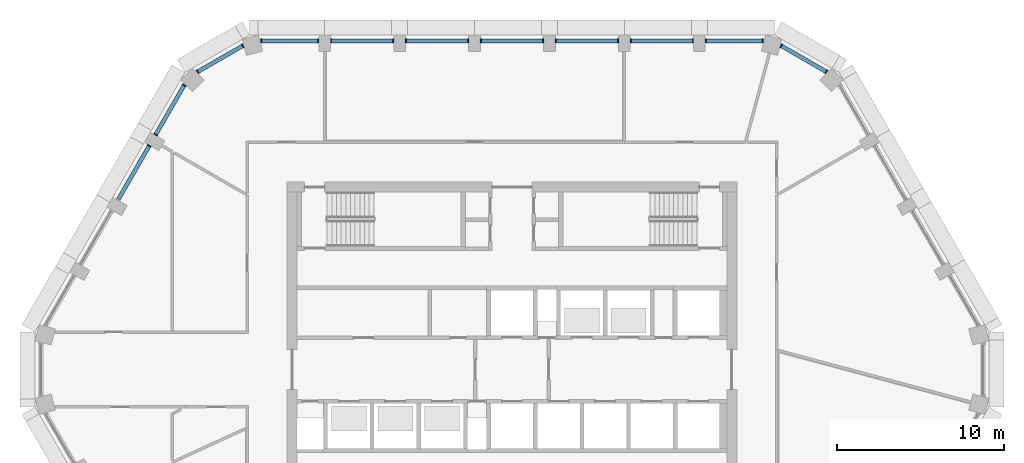
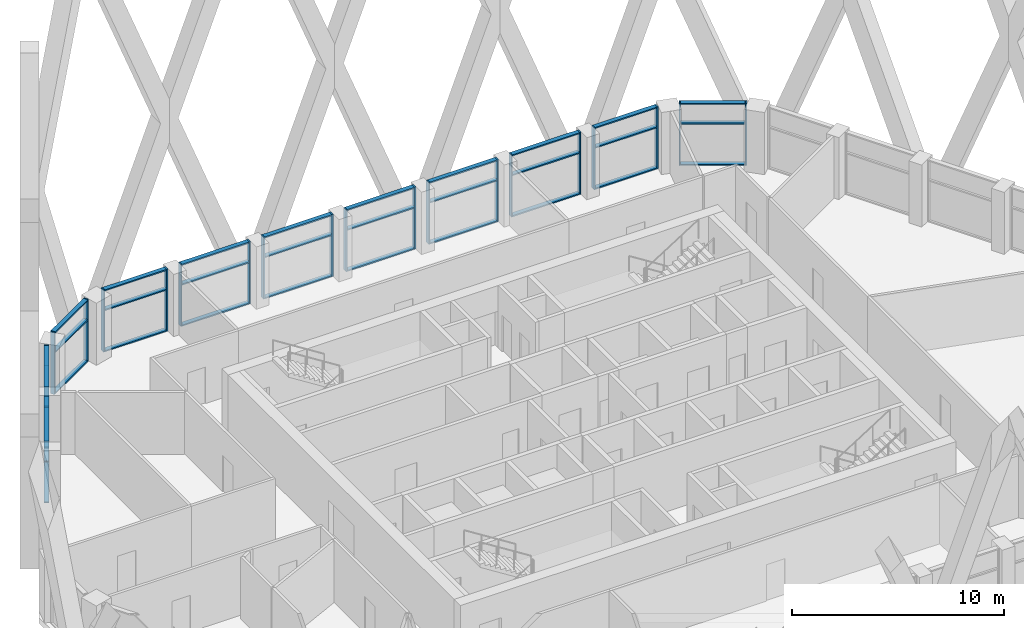
# One storey, part 5 of 20: 54 members, 11 elements without a shape of their own.
"""IFC4 building model written with IfcOpenShell, lengths in metres."""

from ifc_helpers import new_model, si_unit, direction, frame, origin, origin_2d, place, context, subcontext, project, spatial, rectangle, extrude, material, layer, layer_set, material_profile, profile_set, type_object, element, aggregate, save


model = new_model("IFC4")

# Units and contexts
model_context = context("Model", 3, precision=1e-05, world=origin(), true_north=direction((0.0, 1.0)))
body_context = subcontext(model_context, "Body", "Model", "MODEL_VIEW")
ifc_project = project(units=[si_unit("LENGTHUNIT", "METRE"), si_unit("AREAUNIT", "SQUARE_METRE"), si_unit("VOLUMEUNIT", "CUBIC_METRE"), si_unit("PLANEANGLEUNIT", "RADIAN"), si_unit("MASSUNIT", "GRAM", prefix="KILO")], contexts=[model_context])

# Site, building, storey
site_placement = place(None, origin())
site = spatial("IfcSite", under=ifc_project, at=site_placement, CompositionType="ELEMENT")
building_placement = place(site_placement, origin())
building = spatial("IfcBuilding", under=site, at=building_placement, Name="Dhurran Vertical Campus", CompositionType="ELEMENT")
storey_placement = place(building_placement, frame((0.0, 0.0, 235.199951171875)))
storey = spatial("IfcBuildingStorey", under=building, at=storey_placement, Name="L58", CompositionType="ELEMENT", Elevation=235.199951171875)

# Curtain wall, members
ifc_material_1 = material(Name="Aluminium frame with solar-control glass", Category="aluminium")
ifc_layer = layer(ifc_material_1, 0.25)
ifc_layer_set = layer_set([ifc_layer], Name="Aluminium frame with solar-control glass")
curtain_wall_type = type_object("IfcCurtainWallType", Name="Sky lobby glazing system", PredefinedType="NOTDEFINED", material=ifc_layer_set)
curtain_wall_1_placement = place(storey_placement, origin())
curtain_wall_1 = element("IfcCurtainWall", 1, at=curtain_wall_1_placement, inside=storey, type_object=curtain_wall_type, Name="CW3 L58.17", PredefinedType="NOTDEFINED")
ifc_material_2 = material(Name="Aluminium mullion", Category="aluminium")
ifc_material_profile_1 = material_profile(ifc_material_2, rectangle(XDim=0.239990234375, YDim=0.070068359375, at=origin_2d()), Name="Sky lobby glazing system mullion")
ifc_profile_set_1 = profile_set([ifc_material_profile_1], Name="Aluminium mullion")
member_type_1 = type_object("IfcMemberType", Name="Sky lobby glazing system mullion", PredefinedType="MULLION", material=ifc_profile_set_1)
member_1_placement = place(storey_placement, frame((18.877197265625, 17.87890625, 0.0), z_axis=(0.0, 0.0, 1.0), x_axis=(-0.499998698825, -0.866026155017, 0.0)))
member_1 = element("IfcMember", 2, at=member_1_placement, type_object=member_type_1, Name="CW3 mullion 1", PredefinedType="MULLION", context=body_context, shape_type="SweptSolid", body=[
    extrude(rectangle(XDim=0.239990234375, YDim=0.070068359375, at=origin_2d()), origin(), (0.0, 0.0, 1.0), 3.574951171875),
])
member_2_placement = place(storey_placement, frame((16.169921875, 19.44189453125, 0.0), z_axis=(0.0, 0.0, 1.0), x_axis=(-0.499998698825, -0.866026155017, 0.0)))
member_2 = element("IfcMember", 3, at=member_2_placement, type_object=member_type_1, Name="CW3 mullion 2", PredefinedType="MULLION", context=body_context, shape_type="SweptSolid", body=[
    extrude(rectangle(XDim=0.239990234375, YDim=0.070068359375, at=origin_2d()), origin(), (0.0, 0.0, 1.0), 3.574951171875),
])

curtain_wall_2_placement = place(storey_placement, origin())
curtain_wall_2 = element("IfcCurtainWall", 4, at=curtain_wall_2_placement, inside=storey, type_object=curtain_wall_type, Name="CW3 L58.18", PredefinedType="NOTDEFINED")
member_3_placement = place(storey_placement, frame((15.06298828125, 19.738525390625, 0.0), z_axis=(0.0, 0.0, 1.0), x_axis=(0.0, -1.0, 0.0)))
member_3 = element("IfcMember", 5, at=member_3_placement, type_object=member_type_1, Name="CW3 mullion 1", PredefinedType="MULLION", context=body_context, shape_type="SweptSolid", body=[
    extrude(rectangle(XDim=0.239990234375, YDim=0.070068359375, at=origin_2d()), origin(), (0.0, 0.0, 1.0), 3.574951171875),
])
member_4_placement = place(storey_placement, frame((11.635498046875, 19.738525390625, 0.0), z_axis=(0.0, 0.0, 1.0), x_axis=(0.0, -1.0, 0.0)))
member_4 = element("IfcMember", 6, at=member_4_placement, type_object=member_type_1, Name="CW3 mullion 2", PredefinedType="MULLION", context=body_context, shape_type="SweptSolid", body=[
    extrude(rectangle(XDim=0.239990234375, YDim=0.070068359375, at=origin_2d()), origin(), (0.0, 0.0, 1.0), 3.574951171875),
])

curtain_wall_3_placement = place(storey_placement, origin())
curtain_wall_3 = element("IfcCurtainWall", 7, at=curtain_wall_3_placement, inside=storey, type_object=curtain_wall_type, Name="CW3 L58.19", PredefinedType="NOTDEFINED")
member_5_placement = place(storey_placement, frame((10.864501953125, 19.738525390625, 0.0), z_axis=(0.0, 0.0, 1.0), x_axis=(0.0, -1.0, 0.0)))
member_5 = element("IfcMember", 8, at=member_5_placement, type_object=member_type_1, Name="CW3 mullion 1", PredefinedType="MULLION", context=body_context, shape_type="SweptSolid", body=[
    extrude(rectangle(XDim=0.239990234375, YDim=0.070068359375, at=origin_2d()), origin(), (0.0, 0.0, 1.0), 3.574951171875),
])
member_6_placement = place(storey_placement, frame((7.135498046875, 19.738525390625, 0.0), z_axis=(0.0, 0.0, 1.0), x_axis=(0.0, -1.0, 0.0)))
member_6 = element("IfcMember", 9, at=member_6_placement, type_object=member_type_1, Name="CW3 mullion 2", PredefinedType="MULLION", context=body_context, shape_type="SweptSolid", body=[
    extrude(rectangle(XDim=0.239990234375, YDim=0.070068359375, at=origin_2d()), origin(), (0.0, 0.0, 1.0), 3.574951171875),
])

curtain_wall_4_placement = place(storey_placement, origin())
curtain_wall_4 = element("IfcCurtainWall", 10, at=curtain_wall_4_placement, inside=storey, type_object=curtain_wall_type, Name="CW3 L58.20", PredefinedType="NOTDEFINED")
member_7_placement = place(storey_placement, frame((6.364501953125, 19.738525390625, 0.0), z_axis=(0.0, 0.0, 1.0), x_axis=(0.0, -1.0, 0.0)))
member_7 = element("IfcMember", 11, at=member_7_placement, type_object=member_type_1, Name="CW3 mullion 1", PredefinedType="MULLION", context=body_context, shape_type="SweptSolid", body=[
    extrude(rectangle(XDim=0.239990234375, YDim=0.070068359375, at=origin_2d()), origin(), (0.0, 0.0, 1.0), 3.574951171875),
])
member_8_placement = place(storey_placement, frame((2.635498046875, 19.738525390625, 0.0), z_axis=(0.0, 0.0, 1.0), x_axis=(0.0, -1.0, 0.0)))
member_8 = element("IfcMember", 12, at=member_8_placement, type_object=member_type_1, Name="CW3 mullion 2", PredefinedType="MULLION", context=body_context, shape_type="SweptSolid", body=[
    extrude(rectangle(XDim=0.239990234375, YDim=0.070068359375, at=origin_2d()), origin(), (0.0, 0.0, 1.0), 3.574951171875),
])

curtain_wall_5_placement = place(storey_placement, origin())
curtain_wall_5 = element("IfcCurtainWall", 13, at=curtain_wall_5_placement, inside=storey, type_object=curtain_wall_type, Name="CW3 L58.21", PredefinedType="NOTDEFINED")
member_9_placement = place(storey_placement, frame((1.864501953125, 19.738525390625, 0.0), z_axis=(0.0, 0.0, 1.0), x_axis=(0.0, -1.0, 0.0)))
member_9 = element("IfcMember", 14, at=member_9_placement, type_object=member_type_1, Name="CW3 mullion 1", PredefinedType="MULLION", context=body_context, shape_type="SweptSolid", body=[
    extrude(rectangle(XDim=0.239990234375, YDim=0.070068359375, at=origin_2d()), origin(), (0.0, 0.0, 1.0), 3.574951171875),
])
member_10_placement = place(storey_placement, frame((-1.864501953125, 19.738525390625, 0.0), z_axis=(0.0, 0.0, 1.0), x_axis=(0.0, -1.0, 0.0)))
member_10 = element("IfcMember", 15, at=member_10_placement, type_object=member_type_1, Name="CW3 mullion 2", PredefinedType="MULLION", context=body_context, shape_type="SweptSolid", body=[
    extrude(rectangle(XDim=0.239990234375, YDim=0.070068359375, at=origin_2d()), origin(), (0.0, 0.0, 1.0), 3.574951171875),
])

curtain_wall_6_placement = place(storey_placement, origin())
curtain_wall_6 = element("IfcCurtainWall", 16, at=curtain_wall_6_placement, inside=storey, type_object=curtain_wall_type, Name="CW3 L58.22", PredefinedType="NOTDEFINED")
member_11_placement = place(storey_placement, frame((-2.635498046875, 19.738525390625, 0.0), z_axis=(0.0, 0.0, 1.0), x_axis=(0.0, -1.0, 0.0)))
member_11 = element("IfcMember", 17, at=member_11_placement, type_object=member_type_1, Name="CW3 mullion 1", PredefinedType="MULLION", context=body_context, shape_type="SweptSolid", body=[
    extrude(rectangle(XDim=0.239990234375, YDim=0.070068359375, at=origin_2d()), origin(), (0.0, 0.0, 1.0), 3.574951171875),
])
member_12_placement = place(storey_placement, frame((-6.364501953125, 19.738525390625, 0.0), z_axis=(0.0, 0.0, 1.0), x_axis=(0.0, -1.0, 0.0)))
member_12 = element("IfcMember", 18, at=member_12_placement, type_object=member_type_1, Name="CW3 mullion 2", PredefinedType="MULLION", context=body_context, shape_type="SweptSolid", body=[
    extrude(rectangle(XDim=0.239990234375, YDim=0.070068359375, at=origin_2d()), origin(), (0.0, 0.0, 1.0), 3.574951171875),
])

curtain_wall_7_placement = place(storey_placement, origin())
curtain_wall_7 = element("IfcCurtainWall", 19, at=curtain_wall_7_placement, inside=storey, type_object=curtain_wall_type, Name="CW3 L58.23", PredefinedType="NOTDEFINED")
member_13_placement = place(storey_placement, frame((-7.135498046875, 19.738525390625, 0.0), z_axis=(0.0, 0.0, 1.0), x_axis=(0.0, -1.0, 0.0)))
member_13 = element("IfcMember", 20, at=member_13_placement, type_object=member_type_1, Name="CW3 mullion 1", PredefinedType="MULLION", context=body_context, shape_type="SweptSolid", body=[
    extrude(rectangle(XDim=0.239990234375, YDim=0.070068359375, at=origin_2d()), origin(), (0.0, 0.0, 1.0), 3.574951171875),
])
member_14_placement = place(storey_placement, frame((-10.864501953125, 19.738525390625, 0.0), z_axis=(0.0, 0.0, 1.0), x_axis=(0.0, -1.0, 0.0)))
member_14 = element("IfcMember", 21, at=member_14_placement, type_object=member_type_1, Name="CW3 mullion 2", PredefinedType="MULLION", context=body_context, shape_type="SweptSolid", body=[
    extrude(rectangle(XDim=0.239990234375, YDim=0.070068359375, at=origin_2d()), origin(), (0.0, 0.0, 1.0), 3.574951171875),
])

curtain_wall_8_placement = place(storey_placement, origin())
curtain_wall_8 = element("IfcCurtainWall", 22, at=curtain_wall_8_placement, inside=storey, type_object=curtain_wall_type, Name="CW3 L58.24", PredefinedType="NOTDEFINED")
member_15_placement = place(storey_placement, frame((-11.635498046875, 19.738525390625, 0.0), z_axis=(0.0, 0.0, 1.0), x_axis=(0.0, -1.0, 0.0)))
member_15 = element("IfcMember", 23, at=member_15_placement, type_object=member_type_1, Name="CW3 mullion 1", PredefinedType="MULLION", context=body_context, shape_type="SweptSolid", body=[
    extrude(rectangle(XDim=0.239990234375, YDim=0.070068359375, at=origin_2d()), origin(), (0.0, 0.0, 1.0), 3.574951171875),
])
member_16_placement = place(storey_placement, frame((-15.06298828125, 19.738525390625, 0.0), z_axis=(0.0, 0.0, 1.0), x_axis=(0.0, -1.0, 0.0)))
member_16 = element("IfcMember", 24, at=member_16_placement, type_object=member_type_1, Name="CW3 mullion 2", PredefinedType="MULLION", context=body_context, shape_type="SweptSolid", body=[
    extrude(rectangle(XDim=0.239990234375, YDim=0.070068359375, at=origin_2d()), origin(), (0.0, 0.0, 1.0), 3.574951171875),
])

curtain_wall_9_placement = place(storey_placement, origin())
curtain_wall_9 = element("IfcCurtainWall", 25, at=curtain_wall_9_placement, inside=storey, type_object=curtain_wall_type, Name="CW3 L58.25", PredefinedType="NOTDEFINED")
member_17_placement = place(storey_placement, frame((-16.169921875, 19.44189453125, 0.0), z_axis=(0.0, 0.0, 1.0), x_axis=(0.499998698825, -0.866026155017, 0.0)))
member_17 = element("IfcMember", 26, at=member_17_placement, type_object=member_type_1, Name="CW3 mullion 1", PredefinedType="MULLION", context=body_context, shape_type="SweptSolid", body=[
    extrude(rectangle(XDim=0.239990234375, YDim=0.070068359375, at=origin_2d()), origin(), (0.0, 0.0, 1.0), 3.574951171875),
])
member_18_placement = place(storey_placement, frame((-18.877197265625, 17.87890625, 0.0), z_axis=(0.0, 0.0, 1.0), x_axis=(0.499998698825, -0.866026155017, 0.0)))
member_18 = element("IfcMember", 27, at=member_18_placement, type_object=member_type_1, Name="CW3 mullion 2", PredefinedType="MULLION", context=body_context, shape_type="SweptSolid", body=[
    extrude(rectangle(XDim=0.239990234375, YDim=0.070068359375, at=origin_2d()), origin(), (0.0, 0.0, 1.0), 3.574951171875),
])

curtain_wall_10_placement = place(storey_placement, origin())
curtain_wall_10 = element("IfcCurtainWall", 28, at=curtain_wall_10_placement, inside=storey, type_object=curtain_wall_type, Name="CW3 L58.26", PredefinedType="NOTDEFINED")
member_19_placement = place(storey_placement, frame((-19.6875, 17.068603515625, 0.0), z_axis=(0.0, 0.0, 1.0), x_axis=(0.866019424312, -0.500010356607, 0.0)))
member_19 = element("IfcMember", 29, at=member_19_placement, type_object=member_type_1, Name="CW3 mullion 1", PredefinedType="MULLION", context=body_context, shape_type="SweptSolid", body=[
    extrude(rectangle(XDim=0.239990234375, YDim=0.070068359375, at=origin_2d()), origin(), (0.0, 0.0, 1.0), 3.574951171875),
])
member_20_placement = place(storey_placement, frame((-21.4013671875, 14.10009765625, 0.0), z_axis=(0.0, 0.0, 1.0), x_axis=(0.866019424312, -0.500010356607, 0.0)))
member_20 = element("IfcMember", 30, at=member_20_placement, type_object=member_type_1, Name="CW3 mullion 2", PredefinedType="MULLION", context=body_context, shape_type="SweptSolid", body=[
    extrude(rectangle(XDim=0.239990234375, YDim=0.070068359375, at=origin_2d()), origin(), (0.0, 0.0, 1.0), 3.574951171875),
])

# Curtain wall, member
curtain_wall_11_placement = place(storey_placement, origin())
curtain_wall_11 = element("IfcCurtainWall", 31, at=curtain_wall_11_placement, inside=storey, type_object=curtain_wall_type, Name="CW3 L58.27", PredefinedType="NOTDEFINED")
member_21_placement = place(storey_placement, frame((-21.786865234375, 13.432373046875, 0.0), z_axis=(0.0, 0.0, 1.0), x_axis=(0.866023396064, -0.500003477457, 0.0)))
member_21 = element("IfcMember", 32, at=member_21_placement, type_object=member_type_1, Name="CW3 mullion 1", PredefinedType="MULLION", context=body_context, shape_type="SweptSolid", body=[
    extrude(rectangle(XDim=0.239990234375, YDim=0.070068359375, at=origin_2d()), origin(), (0.0, 0.0, 1.0), 3.574951171875),
])

# Member
ifc_material_3 = material(Name="Aluminium transom", Category="aluminium")
ifc_material_profile_2 = material_profile(ifc_material_3, rectangle(XDim=0.239990234375, YDim=0.070068359375, at=origin_2d()), Name="Sky lobby glazing system transom")
ifc_profile_set_2 = profile_set([ifc_material_profile_2], Name="Aluminium transom")
member_type_2 = type_object("IfcMemberType", Name="Sky lobby glazing system transom", PredefinedType="USERDEFINED", material=ifc_profile_set_2)
member_22_placement = place(storey_placement, frame((18.846923828125, 17.896240234375, 0.03515625), z_axis=(-0.866027280971, 0.499996748603, 0.0), x_axis=(-0.499996748603, -0.866027280971, 0.0)))
member_22 = element("IfcMember", 33, at=member_22_placement, type_object=member_type_2, Name="CW3 transom 1.1", ObjectType="TRANSOM", PredefinedType="USERDEFINED", context=body_context, shape_type="SweptSolid", body=[
    extrude(rectangle(XDim=0.239990234375, YDim=0.070068359375, at=origin_2d()), origin(), (0.0, 0.0, 1.0), 3.05615234375),
])

member_23_placement = place(storey_placement, frame((18.846923828125, 17.896240234375, 2.400146484375), z_axis=(-0.866027280971, 0.499996748603, 0.0), x_axis=(-0.499996748603, -0.866027280971, 0.0)))
member_23 = element("IfcMember", 34, at=member_23_placement, type_object=member_type_2, Name="CW3 transom 1.2", ObjectType="TRANSOM", PredefinedType="USERDEFINED", context=body_context, shape_type="SweptSolid", body=[
    extrude(rectangle(XDim=0.239990234375, YDim=0.070068359375, at=origin_2d()), origin(), (0.0, 0.0, 1.0), 3.05615234375),
])

member_24_placement = place(storey_placement, frame((18.846923828125, 17.896240234375, 3.5400390625), z_axis=(-0.866027280971, 0.499996748603, 0.0), x_axis=(-0.499996748603, -0.866027280971, 0.0)))
member_24 = element("IfcMember", 35, at=member_24_placement, type_object=member_type_2, Name="CW3 transom 1.3", ObjectType="TRANSOM", PredefinedType="USERDEFINED", context=body_context, shape_type="SweptSolid", body=[
    extrude(rectangle(XDim=0.239990234375, YDim=0.070068359375, at=origin_2d()), origin(), (0.0, 0.0, 1.0), 3.05615234375),
])

aggregate(curtain_wall_1, [member_1, member_2, member_22, member_23, member_24])

member_25_placement = place(storey_placement, frame((15.028076171875, 19.738525390625, 0.03515625), z_axis=(-1.0, 0.0, 0.0), x_axis=(0.0, -1.0, 0.0)))
member_25 = element("IfcMember", 36, at=member_25_placement, type_object=member_type_2, Name="CW3 transom 1.1", ObjectType="TRANSOM", PredefinedType="USERDEFINED", context=body_context, shape_type="SweptSolid", body=[
    extrude(rectangle(XDim=0.239990234375, YDim=0.070068359375, at=origin_2d()), origin(), (0.0, 0.0, 1.0), 3.357666015625),
])

member_26_placement = place(storey_placement, frame((15.028076171875, 19.738525390625, 2.400146484375), z_axis=(-1.0, 0.0, 0.0), x_axis=(0.0, -1.0, 0.0)))
member_26 = element("IfcMember", 37, at=member_26_placement, type_object=member_type_2, Name="CW3 transom 1.2", ObjectType="TRANSOM", PredefinedType="USERDEFINED", context=body_context, shape_type="SweptSolid", body=[
    extrude(rectangle(XDim=0.239990234375, YDim=0.070068359375, at=origin_2d()), origin(), (0.0, 0.0, 1.0), 3.357666015625),
])

member_27_placement = place(storey_placement, frame((15.028076171875, 19.738525390625, 3.5400390625), z_axis=(-1.0, 0.0, 0.0), x_axis=(0.0, -1.0, 0.0)))
member_27 = element("IfcMember", 38, at=member_27_placement, type_object=member_type_2, Name="CW3 transom 1.3", ObjectType="TRANSOM", PredefinedType="USERDEFINED", context=body_context, shape_type="SweptSolid", body=[
    extrude(rectangle(XDim=0.239990234375, YDim=0.070068359375, at=origin_2d()), origin(), (0.0, 0.0, 1.0), 3.357666015625),
])

aggregate(curtain_wall_2, [member_3, member_4, member_25, member_26, member_27])

member_28_placement = place(storey_placement, frame((10.82958984375, 19.738525390625, 0.03515625), z_axis=(-1.0, 0.0, 0.0), x_axis=(0.0, -1.0, 0.0)))
member_28 = element("IfcMember", 39, at=member_28_placement, type_object=member_type_2, Name="CW3 transom 1.1", ObjectType="TRANSOM", PredefinedType="USERDEFINED", context=body_context, shape_type="SweptSolid", body=[
    extrude(rectangle(XDim=0.239990234375, YDim=0.070068359375, at=origin_2d()), origin(), (0.0, 0.0, 1.0), 3.6591796875),
])

member_29_placement = place(storey_placement, frame((10.82958984375, 19.738525390625, 2.400146484375), z_axis=(-1.0, 0.0, 0.0), x_axis=(0.0, -1.0, 0.0)))
member_29 = element("IfcMember", 40, at=member_29_placement, type_object=member_type_2, Name="CW3 transom 1.2", ObjectType="TRANSOM", PredefinedType="USERDEFINED", context=body_context, shape_type="SweptSolid", body=[
    extrude(rectangle(XDim=0.239990234375, YDim=0.070068359375, at=origin_2d()), origin(), (0.0, 0.0, 1.0), 3.6591796875),
])

member_30_placement = place(storey_placement, frame((10.82958984375, 19.738525390625, 3.5400390625), z_axis=(-1.0, 0.0, 0.0), x_axis=(0.0, -1.0, 0.0)))
member_30 = element("IfcMember", 41, at=member_30_placement, type_object=member_type_2, Name="CW3 transom 1.3", ObjectType="TRANSOM", PredefinedType="USERDEFINED", context=body_context, shape_type="SweptSolid", body=[
    extrude(rectangle(XDim=0.239990234375, YDim=0.070068359375, at=origin_2d()), origin(), (0.0, 0.0, 1.0), 3.6591796875),
])

aggregate(curtain_wall_3, [member_5, member_6, member_28, member_29, member_30])

member_31_placement = place(storey_placement, frame((6.32958984375, 19.738525390625, 0.03515625), z_axis=(-1.0, 0.0, 0.0), x_axis=(0.0, -1.0, 0.0)))
member_31 = element("IfcMember", 42, at=member_31_placement, type_object=member_type_2, Name="CW3 transom 1.1", ObjectType="TRANSOM", PredefinedType="USERDEFINED", context=body_context, shape_type="SweptSolid", body=[
    extrude(rectangle(XDim=0.239990234375, YDim=0.070068359375, at=origin_2d()), origin(), (0.0, 0.0, 1.0), 3.6591796875),
])

member_32_placement = place(storey_placement, frame((6.32958984375, 19.738525390625, 2.400146484375), z_axis=(-1.0, 0.0, 0.0), x_axis=(0.0, -1.0, 0.0)))
member_32 = element("IfcMember", 43, at=member_32_placement, type_object=member_type_2, Name="CW3 transom 1.2", ObjectType="TRANSOM", PredefinedType="USERDEFINED", context=body_context, shape_type="SweptSolid", body=[
    extrude(rectangle(XDim=0.239990234375, YDim=0.070068359375, at=origin_2d()), origin(), (0.0, 0.0, 1.0), 3.6591796875),
])

member_33_placement = place(storey_placement, frame((6.32958984375, 19.738525390625, 3.5400390625), z_axis=(-1.0, 0.0, 0.0), x_axis=(0.0, -1.0, 0.0)))
member_33 = element("IfcMember", 44, at=member_33_placement, type_object=member_type_2, Name="CW3 transom 1.3", ObjectType="TRANSOM", PredefinedType="USERDEFINED", context=body_context, shape_type="SweptSolid", body=[
    extrude(rectangle(XDim=0.239990234375, YDim=0.070068359375, at=origin_2d()), origin(), (0.0, 0.0, 1.0), 3.6591796875),
])

aggregate(curtain_wall_4, [member_7, member_8, member_31, member_32, member_33])

member_34_placement = place(storey_placement, frame((1.82958984375, 19.738525390625, 0.03515625), z_axis=(-1.0, 0.0, 0.0), x_axis=(0.0, -1.0, 0.0)))
member_34 = element("IfcMember", 45, at=member_34_placement, type_object=member_type_2, Name="CW3 transom 1.1", ObjectType="TRANSOM", PredefinedType="USERDEFINED", context=body_context, shape_type="SweptSolid", body=[
    extrude(rectangle(XDim=0.239990234375, YDim=0.070068359375, at=origin_2d()), origin(), (0.0, 0.0, 1.0), 3.6591796875),
])

member_35_placement = place(storey_placement, frame((1.82958984375, 19.738525390625, 2.400146484375), z_axis=(-1.0, 0.0, 0.0), x_axis=(0.0, -1.0, 0.0)))
member_35 = element("IfcMember", 46, at=member_35_placement, type_object=member_type_2, Name="CW3 transom 1.2", ObjectType="TRANSOM", PredefinedType="USERDEFINED", context=body_context, shape_type="SweptSolid", body=[
    extrude(rectangle(XDim=0.239990234375, YDim=0.070068359375, at=origin_2d()), origin(), (0.0, 0.0, 1.0), 3.6591796875),
])

member_36_placement = place(storey_placement, frame((1.82958984375, 19.738525390625, 3.5400390625), z_axis=(-1.0, 0.0, 0.0), x_axis=(0.0, -1.0, 0.0)))
member_36 = element("IfcMember", 47, at=member_36_placement, type_object=member_type_2, Name="CW3 transom 1.3", ObjectType="TRANSOM", PredefinedType="USERDEFINED", context=body_context, shape_type="SweptSolid", body=[
    extrude(rectangle(XDim=0.239990234375, YDim=0.070068359375, at=origin_2d()), origin(), (0.0, 0.0, 1.0), 3.6591796875),
])

aggregate(curtain_wall_5, [member_9, member_10, member_34, member_35, member_36])

member_37_placement = place(storey_placement, frame((-2.67041015625, 19.738525390625, 0.03515625), z_axis=(-1.0, 0.0, 0.0), x_axis=(0.0, -1.0, 0.0)))
member_37 = element("IfcMember", 48, at=member_37_placement, type_object=member_type_2, Name="CW3 transom 1.1", ObjectType="TRANSOM", PredefinedType="USERDEFINED", context=body_context, shape_type="SweptSolid", body=[
    extrude(rectangle(XDim=0.239990234375, YDim=0.070068359375, at=origin_2d()), origin(), (0.0, 0.0, 1.0), 3.6591796875),
])

member_38_placement = place(storey_placement, frame((-2.67041015625, 19.738525390625, 2.400146484375), z_axis=(-1.0, 0.0, 0.0), x_axis=(0.0, -1.0, 0.0)))
member_38 = element("IfcMember", 49, at=member_38_placement, type_object=member_type_2, Name="CW3 transom 1.2", ObjectType="TRANSOM", PredefinedType="USERDEFINED", context=body_context, shape_type="SweptSolid", body=[
    extrude(rectangle(XDim=0.239990234375, YDim=0.070068359375, at=origin_2d()), origin(), (0.0, 0.0, 1.0), 3.6591796875),
])

member_39_placement = place(storey_placement, frame((-2.67041015625, 19.738525390625, 3.5400390625), z_axis=(-1.0, 0.0, 0.0), x_axis=(0.0, -1.0, 0.0)))
member_39 = element("IfcMember", 50, at=member_39_placement, type_object=member_type_2, Name="CW3 transom 1.3", ObjectType="TRANSOM", PredefinedType="USERDEFINED", context=body_context, shape_type="SweptSolid", body=[
    extrude(rectangle(XDim=0.239990234375, YDim=0.070068359375, at=origin_2d()), origin(), (0.0, 0.0, 1.0), 3.6591796875),
])

aggregate(curtain_wall_6, [member_11, member_12, member_37, member_38, member_39])

member_40_placement = place(storey_placement, frame((-7.17041015625, 19.738525390625, 0.03515625), z_axis=(-1.0, 0.0, 0.0), x_axis=(0.0, -1.0, 0.0)))
member_40 = element("IfcMember", 51, at=member_40_placement, type_object=member_type_2, Name="CW3 transom 1.1", ObjectType="TRANSOM", PredefinedType="USERDEFINED", context=body_context, shape_type="SweptSolid", body=[
    extrude(rectangle(XDim=0.239990234375, YDim=0.070068359375, at=origin_2d()), origin(), (0.0, 0.0, 1.0), 3.6591796875),
])

member_41_placement = place(storey_placement, frame((-7.17041015625, 19.738525390625, 2.400146484375), z_axis=(-1.0, 0.0, 0.0), x_axis=(0.0, -1.0, 0.0)))
member_41 = element("IfcMember", 52, at=member_41_placement, type_object=member_type_2, Name="CW3 transom 1.2", ObjectType="TRANSOM", PredefinedType="USERDEFINED", context=body_context, shape_type="SweptSolid", body=[
    extrude(rectangle(XDim=0.239990234375, YDim=0.070068359375, at=origin_2d()), origin(), (0.0, 0.0, 1.0), 3.6591796875),
])

member_42_placement = place(storey_placement, frame((-7.17041015625, 19.738525390625, 3.5400390625), z_axis=(-1.0, 0.0, 0.0), x_axis=(0.0, -1.0, 0.0)))
member_42 = element("IfcMember", 53, at=member_42_placement, type_object=member_type_2, Name="CW3 transom 1.3", ObjectType="TRANSOM", PredefinedType="USERDEFINED", context=body_context, shape_type="SweptSolid", body=[
    extrude(rectangle(XDim=0.239990234375, YDim=0.070068359375, at=origin_2d()), origin(), (0.0, 0.0, 1.0), 3.6591796875),
])

aggregate(curtain_wall_7, [member_13, member_14, member_40, member_41, member_42])

member_43_placement = place(storey_placement, frame((-11.67041015625, 19.738525390625, 0.03515625), z_axis=(-1.0, 0.0, 0.0), x_axis=(0.0, -1.0, 0.0)))
member_43 = element("IfcMember", 54, at=member_43_placement, type_object=member_type_2, Name="CW3 transom 1.1", ObjectType="TRANSOM", PredefinedType="USERDEFINED", context=body_context, shape_type="SweptSolid", body=[
    extrude(rectangle(XDim=0.239990234375, YDim=0.070068359375, at=origin_2d()), origin(), (0.0, 0.0, 1.0), 3.357666015625),
])

member_44_placement = place(storey_placement, frame((-11.67041015625, 19.738525390625, 2.400146484375), z_axis=(-1.0, 0.0, 0.0), x_axis=(0.0, -1.0, 0.0)))
member_44 = element("IfcMember", 55, at=member_44_placement, type_object=member_type_2, Name="CW3 transom 1.2", ObjectType="TRANSOM", PredefinedType="USERDEFINED", context=body_context, shape_type="SweptSolid", body=[
    extrude(rectangle(XDim=0.239990234375, YDim=0.070068359375, at=origin_2d()), origin(), (0.0, 0.0, 1.0), 3.357666015625),
])

member_45_placement = place(storey_placement, frame((-11.67041015625, 19.738525390625, 3.5400390625), z_axis=(-1.0, 0.0, 0.0), x_axis=(0.0, -1.0, 0.0)))
member_45 = element("IfcMember", 56, at=member_45_placement, type_object=member_type_2, Name="CW3 transom 1.3", ObjectType="TRANSOM", PredefinedType="USERDEFINED", context=body_context, shape_type="SweptSolid", body=[
    extrude(rectangle(XDim=0.239990234375, YDim=0.070068359375, at=origin_2d()), origin(), (0.0, 0.0, 1.0), 3.357666015625),
])

aggregate(curtain_wall_8, [member_15, member_16, member_43, member_44, member_45])

member_46_placement = place(storey_placement, frame((-16.2001953125, 19.42431640625, 0.03515625), z_axis=(-0.866027280971, -0.499996748603, 0.0), x_axis=(0.499996748603, -0.866027280971, 0.0)))
member_46 = element("IfcMember", 57, at=member_46_placement, type_object=member_type_2, Name="CW3 transom 1.1", ObjectType="TRANSOM", PredefinedType="USERDEFINED", context=body_context, shape_type="SweptSolid", body=[
    extrude(rectangle(XDim=0.239990234375, YDim=0.070068359375, at=origin_2d()), origin(), (0.0, 0.0, 1.0), 3.05615234375),
])

member_47_placement = place(storey_placement, frame((-16.2001953125, 19.42431640625, 2.400146484375), z_axis=(-0.866027280971, -0.499996748603, 0.0), x_axis=(0.499996748603, -0.866027280971, 0.0)))
member_47 = element("IfcMember", 58, at=member_47_placement, type_object=member_type_2, Name="CW3 transom 1.2", ObjectType="TRANSOM", PredefinedType="USERDEFINED", context=body_context, shape_type="SweptSolid", body=[
    extrude(rectangle(XDim=0.239990234375, YDim=0.070068359375, at=origin_2d()), origin(), (0.0, 0.0, 1.0), 3.05615234375),
])

member_48_placement = place(storey_placement, frame((-16.2001953125, 19.42431640625, 3.5400390625), z_axis=(-0.866027280971, -0.499996748603, 0.0), x_axis=(0.499996748603, -0.866027280971, 0.0)))
member_48 = element("IfcMember", 59, at=member_48_placement, type_object=member_type_2, Name="CW3 transom 1.3", ObjectType="TRANSOM", PredefinedType="USERDEFINED", context=body_context, shape_type="SweptSolid", body=[
    extrude(rectangle(XDim=0.239990234375, YDim=0.070068359375, at=origin_2d()), origin(), (0.0, 0.0, 1.0), 3.05615234375),
])

aggregate(curtain_wall_9, [member_17, member_18, member_46, member_47, member_48])

member_49_placement = place(storey_placement, frame((-19.704833984375, 17.038330078125, 0.03515625), z_axis=(-0.500041352309, -0.866001527701, 0.0), x_axis=(0.866001527701, -0.500041352309, 0.0)))
member_49 = element("IfcMember", 60, at=member_49_placement, type_object=member_type_2, Name="CW3 transom 1.1", ObjectType="TRANSOM", PredefinedType="USERDEFINED", context=body_context, shape_type="SweptSolid", body=[
    extrude(rectangle(XDim=0.239990234375, YDim=0.070068359375, at=origin_2d()), origin(), (0.0, 0.0, 1.0), 3.357666015625),
])

member_50_placement = place(storey_placement, frame((-19.704833984375, 17.038330078125, 2.400146484375), z_axis=(-0.500041352309, -0.866001527701, 0.0), x_axis=(0.866001527701, -0.500041352309, 0.0)))
member_50 = element("IfcMember", 61, at=member_50_placement, type_object=member_type_2, Name="CW3 transom 1.2", ObjectType="TRANSOM", PredefinedType="USERDEFINED", context=body_context, shape_type="SweptSolid", body=[
    extrude(rectangle(XDim=0.239990234375, YDim=0.070068359375, at=origin_2d()), origin(), (0.0, 0.0, 1.0), 3.357666015625),
])

member_51_placement = place(storey_placement, frame((-19.704833984375, 17.038330078125, 3.5400390625), z_axis=(-0.500041352309, -0.866001527701, 0.0), x_axis=(0.866001527701, -0.500041352309, 0.0)))
member_51 = element("IfcMember", 62, at=member_51_placement, type_object=member_type_2, Name="CW3 transom 1.3", ObjectType="TRANSOM", PredefinedType="USERDEFINED", context=body_context, shape_type="SweptSolid", body=[
    extrude(rectangle(XDim=0.239990234375, YDim=0.070068359375, at=origin_2d()), origin(), (0.0, 0.0, 1.0), 3.357666015625),
])

aggregate(curtain_wall_10, [member_19, member_20, member_49, member_50, member_51])

member_52_placement = place(storey_placement, frame((-21.80419921875, 13.402099609375, 0.03515625), z_axis=(-0.500028567022, -0.866008909978, 0.0), x_axis=(0.866008909978, -0.500028567022, 0.0)))
member_52 = element("IfcMember", 63, at=member_52_placement, type_object=member_type_2, Name="CW3 transom 1.1", ObjectType="TRANSOM", PredefinedType="USERDEFINED", context=body_context, shape_type="SweptSolid", body=[
    extrude(rectangle(XDim=0.239990234375, YDim=0.070068359375, at=origin_2d()), origin(), (0.0, 0.0, 1.0), 3.658935546875),
])

member_53_placement = place(storey_placement, frame((-21.80419921875, 13.402099609375, 2.400146484375), z_axis=(-0.500028567022, -0.866008909978, 0.0), x_axis=(0.866008909978, -0.500028567022, 0.0)))
member_53 = element("IfcMember", 64, at=member_53_placement, type_object=member_type_2, Name="CW3 transom 1.2", ObjectType="TRANSOM", PredefinedType="USERDEFINED", context=body_context, shape_type="SweptSolid", body=[
    extrude(rectangle(XDim=0.239990234375, YDim=0.070068359375, at=origin_2d()), origin(), (0.0, 0.0, 1.0), 3.658935546875),
])

member_54_placement = place(storey_placement, frame((-21.80419921875, 13.402099609375, 3.5400390625), z_axis=(-0.500028567022, -0.866008909978, 0.0), x_axis=(0.866008909978, -0.500028567022, 0.0)))
member_54 = element("IfcMember", 65, at=member_54_placement, type_object=member_type_2, Name="CW3 transom 1.3", ObjectType="TRANSOM", PredefinedType="USERDEFINED", context=body_context, shape_type="SweptSolid", body=[
    extrude(rectangle(XDim=0.239990234375, YDim=0.070068359375, at=origin_2d()), origin(), (0.0, 0.0, 1.0), 3.658935546875),
])

aggregate(curtain_wall_11, [member_21, member_52, member_53, member_54])

save(model, "model.ifc")
